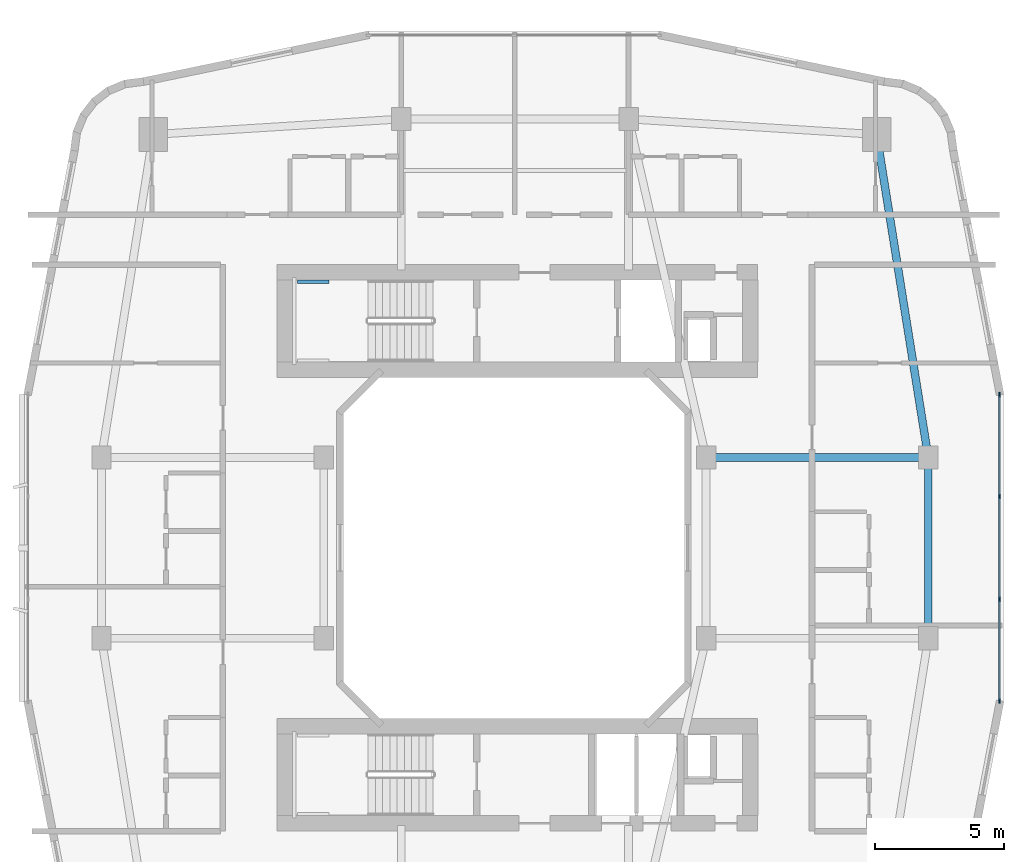
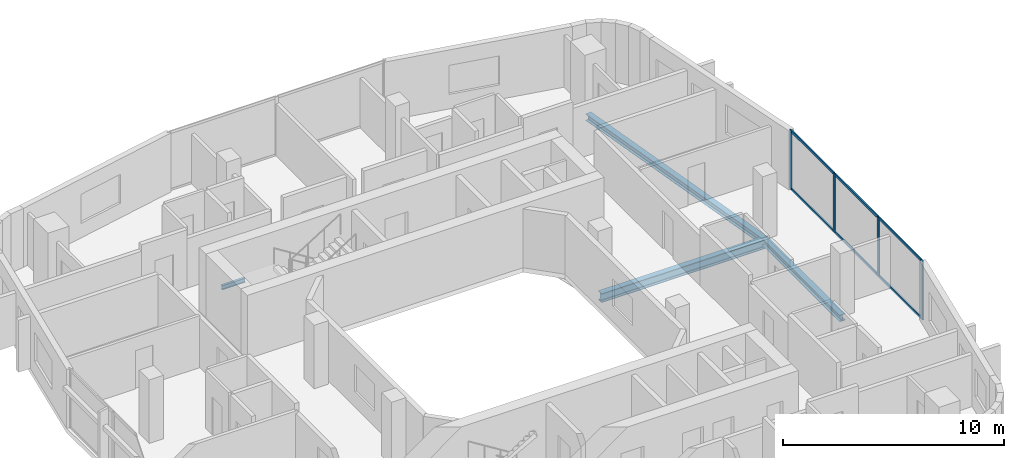
# One storey, part 10 of 27: 10 members, 4 beams, 1 element without a shape of its own.
"""IFC4 building model written with IfcOpenShell, lengths in metres."""

from ifc_helpers import new_model, si_unit, derived_unit, direction, frame, origin, origin_2d, place, context, subcontext, project, spatial, rectangle, i_section, extrude, material, layer, layer_set, material_profile, profile_set, type_object, element, aggregate, save


model = new_model("IFC4")

# Units and contexts
model_context = context("Model", 3, precision=1e-05, world=origin(), true_north=direction((0.0, 1.0)))
body_context = subcontext(model_context, "Body", "Model", "MODEL_VIEW")
ifc_project = project(units=[si_unit("LENGTHUNIT", "METRE"), si_unit("AREAUNIT", "SQUARE_METRE"), si_unit("VOLUMEUNIT", "CUBIC_METRE"), si_unit("PLANEANGLEUNIT", "RADIAN"), si_unit("MASSUNIT", "GRAM", prefix="KILO"), derived_unit("THERMALTRANSMITTANCEUNIT", [(si_unit("POWERUNIT", "WATT"), 1), (si_unit("LENGTHUNIT", "METRE"), -2), (si_unit("THERMODYNAMICTEMPERATUREUNIT", "KELVIN"), -1)])], contexts=[model_context])

# Site, building, storey
site_placement = place(None, origin())
site = spatial("IfcSite", under=ifc_project, at=site_placement, CompositionType="ELEMENT")
building_placement = place(site_placement, origin())
building = spatial("IfcBuilding", under=site, at=building_placement, Name="Kivonza Crest Hotel", CompositionType="ELEMENT")
storey_placement = place(building_placement, frame((0.0, 0.0, 41.5)))
storey = spatial("IfcBuildingStorey", under=building, at=storey_placement, Name="L10", CompositionType="ELEMENT", Elevation=41.5)

# Beams
ifc_material_1 = material(Name="Steel S355", Category="steel")
ifc_material_profile_1 = material_profile(ifc_material_1, i_section(OverallWidth=0.300048828125, OverallDepth=0.360107421875, WebThickness=0.012451171875, FlangeThickness=0.0224609375, FilletRadius=0.027099609375, at=origin_2d()), Name="HEB 360")
ifc_profile_set_1 = profile_set([ifc_material_profile_1], Name="Steel S355")
beam_type_1 = type_object("IfcBeamType", Name="BM-HEB360", PredefinedType="SPANDREL", material=ifc_profile_set_1)
beam_1_placement = place(storey_placement, frame((93.0, 21.5, -0.429931640625), z_axis=(0.0, 1.0, 0.0), x_axis=(-1.0, 0.0, 0.0)))
element("IfcBeam", 1, at=beam_1_placement, inside=storey, type_object=beam_type_1, Name="Companion Tower T2 L10 perimeter spandrel E1-E2", PredefinedType="SPANDREL", context=body_context, shape_type="SweptSolid", body=[
    extrude(i_section(OverallWidth=0.300048828125, OverallDepth=0.360107421875, WebThickness=0.012451171875, FlangeThickness=0.0224609375, FilletRadius=0.027099609375, at=origin_2d()), origin(), (0.0, 0.0, 1.0), 7.0),
])
beam_2_placement = place(storey_placement, frame((93.0, 28.5, -0.429931640625), z_axis=(-0.157990501107, 0.987440631917, 0.0), x_axis=(-0.987440631917, -0.157990501107, 0.0)))
element("IfcBeam", 2, at=beam_2_placement, inside=storey, type_object=beam_type_1, Name="Companion Tower T2 L10 perimeter spandrel E2-NE", PredefinedType="SPANDREL", context=body_context, shape_type="SweptSolid", body=[
    extrude(i_section(OverallWidth=0.300048828125, OverallDepth=0.360107421875, WebThickness=0.012451171875, FlangeThickness=0.0224609375, FilletRadius=0.027099609375, at=origin_2d()), origin(), (0.0, 0.0, 1.0), 12.658935546875),
])
ifc_material_profile_2 = material_profile(ifc_material_1, i_section(OverallWidth=0.300048828125, OverallDepth=0.5, WebThickness=0.014404296875, FlangeThickness=0.028076171875, FilletRadius=0.027099609375, at=origin_2d()), Name="HEB 500")
ifc_profile_set_2 = profile_set([ifc_material_profile_2], Name="Steel S355")
beam_type_2 = type_object("IfcBeamType", Name="BM-HEB500", PredefinedType="BEAM", material=ifc_profile_set_2)
beam_3_placement = place(storey_placement, frame((84.39990234375, 28.5, -0.5), z_axis=(1.0, 0.0, 0.0), x_axis=(0.0, 1.0, 0.0)))
element("IfcBeam", 3, at=beam_3_placement, inside=storey, type_object=beam_type_2, Name="Companion Tower T2 L10 girder WR2-E2", PredefinedType="BEAM", context=body_context, shape_type="SweptSolid", body=[
    extrude(i_section(OverallWidth=0.300048828125, OverallDepth=0.5, WebThickness=0.014404296875, FlangeThickness=0.028076171875, FilletRadius=0.027099609375, at=origin_2d()), origin(), (0.0, 0.0, 1.0), 8.60009765625),
])
ifc_material_profile_3 = material_profile(ifc_material_1, i_section(OverallWidth=0.1201171875, OverallDepth=0.239990234375, WebThickness=0.006103515625, FlangeThickness=0.009765625, FilletRadius=0.014892578125, at=origin_2d()), Name="IPE 240")
ifc_profile_set_3 = profile_set([ifc_material_profile_3], Name="Steel S355")
beam_type_3 = type_object("IfcBeamType", Name="BM-LLDG-240", PredefinedType="BEAM", material=ifc_profile_set_3)
beam_4_placement = place(storey_placement, frame((68.590087890625, 35.300048828125, 1.429931640625), z_axis=(1.0, 0.0, 0.0), x_axis=(0.0, 1.0, 0.0)))
element("IfcBeam", 4, at=beam_4_placement, inside=storey, type_object=beam_type_3, Name="Stair ST-T2-N L10 North landing corbel", PredefinedType="BEAM", context=body_context, shape_type="SweptSolid", body=[
    extrude(i_section(OverallWidth=0.1201171875, OverallDepth=0.239990234375, WebThickness=0.006103515625, FlangeThickness=0.009765625, FilletRadius=0.014892578125, at=origin_2d()), origin(), (0.0, 0.0, 1.0), 1.2099609375),
])

# Curtain wall, members
ifc_material_2 = material(Name="Anodised bronze aluminium and low-E double glazing", Category="aluminium")
ifc_layer = layer(ifc_material_2, 0.179931640625)
ifc_layer_set = layer_set([ifc_layer], Name="Anodised bronze aluminium and low-E double glazing")
curtain_wall_type = type_object("IfcCurtainWallType", Name="CW-SYS-4", PredefinedType="NOTDEFINED", material=ifc_layer_set)
curtain_wall_placement = place(storey_placement, origin())
curtain_wall = element("IfcCurtainWall", 5, at=curtain_wall_placement, inside=storey, type_object=curtain_wall_type, Name="L10 unitised curtain wall CW-T2-L10-17", PredefinedType="NOTDEFINED")
ifc_material_3 = material(Name="Anodised bronze aluminium", Category="aluminium")
ifc_material_profile_4 = material_profile(ifc_material_3, rectangle(XDim=0.06494140625, YDim=0.179931640625, at=origin_2d()), Name="CW-M 65x180")
ifc_profile_set_4 = profile_set([ifc_material_profile_4], Name="Anodised bronze aluminium")
member_type_1 = type_object("IfcMemberType", Name="CW-MUL-65x180", PredefinedType="MULLION", material=ifc_profile_set_4)
member_1_placement = place(storey_placement, frame((95.760009765625, 19.072509765625, 0.0), z_axis=(0.0, 0.0, 1.0), x_axis=(-1.0, 0.0, 0.0)))
member_1 = element("IfcMember", 6, at=member_1_placement, type_object=member_type_1, Name="CW-4 mullion 1", PredefinedType="MULLION", context=body_context, shape_type="SweptSolid", body=[
    extrude(rectangle(XDim=0.06494140625, YDim=0.179931640625, at=origin_2d()), origin(), (0.0, 0.0, 1.0), 3.25),
])
member_2_placement = place(storey_placement, frame((95.760009765625, 23.013427734375, 0.0), z_axis=(0.0, 0.0, 1.0), x_axis=(-1.0, 0.0, 0.0)))
member_2 = element("IfcMember", 7, at=member_2_placement, type_object=member_type_1, Name="CW-4 mullion 2", PredefinedType="MULLION", context=body_context, shape_type="SweptSolid", body=[
    extrude(rectangle(XDim=0.06494140625, YDim=0.179931640625, at=origin_2d()), origin(), (0.0, 0.0, 1.0), 3.25),
])
member_3_placement = place(storey_placement, frame((95.760009765625, 26.986572265625, 0.0), z_axis=(0.0, 0.0, 1.0), x_axis=(-1.0, 0.0, 0.0)))
member_3 = element("IfcMember", 8, at=member_3_placement, type_object=member_type_1, Name="CW-4 mullion 3", PredefinedType="MULLION", context=body_context, shape_type="SweptSolid", body=[
    extrude(rectangle(XDim=0.06494140625, YDim=0.179931640625, at=origin_2d()), origin(), (0.0, 0.0, 1.0), 3.25),
])
member_4_placement = place(storey_placement, frame((95.760009765625, 30.927490234375, 0.0), z_axis=(0.0, 0.0, 1.0), x_axis=(-1.0, 0.0, 0.0)))
member_4 = element("IfcMember", 9, at=member_4_placement, type_object=member_type_1, Name="CW-4 mullion 4", PredefinedType="MULLION", context=body_context, shape_type="SweptSolid", body=[
    extrude(rectangle(XDim=0.06494140625, YDim=0.179931640625, at=origin_2d()), origin(), (0.0, 0.0, 1.0), 3.25),
])
ifc_material_profile_5 = material_profile(ifc_material_3, rectangle(XDim=0.06494140625, YDim=0.139892578125, at=origin_2d()), Name="CW-T 65x140")
ifc_profile_set_5 = profile_set([ifc_material_profile_5], Name="Anodised bronze aluminium")
member_type_2 = type_object("IfcMemberType", Name="CW-TRN-65x140", PredefinedType="USERDEFINED", material=ifc_profile_set_5)
member_5_placement = place(storey_placement, frame((95.760009765625, 19.10498046875, 0.032470703125), z_axis=(0.0, 1.0, 0.0), x_axis=(-1.0, 0.0, 0.0)))
member_5 = element("IfcMember", 10, at=member_5_placement, type_object=member_type_2, Name="CW-4 transom 1.1", ObjectType="TRANSOM", PredefinedType="USERDEFINED", context=body_context, shape_type="SweptSolid", body=[
    extrude(rectangle(XDim=0.06494140625, YDim=0.139892578125, at=origin_2d()), origin(), (0.0, 0.0, 1.0), 3.875732421875),
])
member_6_placement = place(storey_placement, frame((95.760009765625, 19.10498046875, 3.217529296875), z_axis=(0.0, 1.0, 0.0), x_axis=(-1.0, 0.0, 0.0)))
member_6 = element("IfcMember", 11, at=member_6_placement, type_object=member_type_2, Name="CW-4 transom 1.2", ObjectType="TRANSOM", PredefinedType="USERDEFINED", context=body_context, shape_type="SweptSolid", body=[
    extrude(rectangle(XDim=0.06494140625, YDim=0.139892578125, at=origin_2d()), origin(), (0.0, 0.0, 1.0), 3.875732421875),
])
member_7_placement = place(storey_placement, frame((95.760009765625, 23.0458984375, 0.032470703125), z_axis=(0.0, 1.0, 0.0), x_axis=(-1.0, 0.0, 0.0)))
member_7 = element("IfcMember", 12, at=member_7_placement, type_object=member_type_2, Name="CW-4 transom 2.1", ObjectType="TRANSOM", PredefinedType="USERDEFINED", context=body_context, shape_type="SweptSolid", body=[
    extrude(rectangle(XDim=0.06494140625, YDim=0.139892578125, at=origin_2d()), origin(), (0.0, 0.0, 1.0), 3.908203125),
])
member_8_placement = place(storey_placement, frame((95.760009765625, 23.0458984375, 3.217529296875), z_axis=(0.0, 1.0, 0.0), x_axis=(-1.0, 0.0, 0.0)))
member_8 = element("IfcMember", 13, at=member_8_placement, type_object=member_type_2, Name="CW-4 transom 2.2", ObjectType="TRANSOM", PredefinedType="USERDEFINED", context=body_context, shape_type="SweptSolid", body=[
    extrude(rectangle(XDim=0.06494140625, YDim=0.139892578125, at=origin_2d()), origin(), (0.0, 0.0, 1.0), 3.908203125),
])
member_9_placement = place(storey_placement, frame((95.760009765625, 27.019287109375, 0.032470703125), z_axis=(0.0, 1.0, 0.0), x_axis=(-1.0, 0.0, 0.0)))
member_9 = element("IfcMember", 14, at=member_9_placement, type_object=member_type_2, Name="CW-4 transom 3.1", ObjectType="TRANSOM", PredefinedType="USERDEFINED", context=body_context, shape_type="SweptSolid", body=[
    extrude(rectangle(XDim=0.06494140625, YDim=0.139892578125, at=origin_2d()), origin(), (0.0, 0.0, 1.0), 3.875732421875),
])
member_10_placement = place(storey_placement, frame((95.760009765625, 27.019287109375, 3.217529296875), z_axis=(0.0, 1.0, 0.0), x_axis=(-1.0, 0.0, 0.0)))
member_10 = element("IfcMember", 15, at=member_10_placement, type_object=member_type_2, Name="CW-4 transom 3.2", ObjectType="TRANSOM", PredefinedType="USERDEFINED", context=body_context, shape_type="SweptSolid", body=[
    extrude(rectangle(XDim=0.06494140625, YDim=0.139892578125, at=origin_2d()), origin(), (0.0, 0.0, 1.0), 3.875732421875),
])
aggregate(curtain_wall, [member_1, member_2, member_3, member_4, member_5, member_6, member_7, member_8, member_9, member_10])

save(model, "model.ifc")
